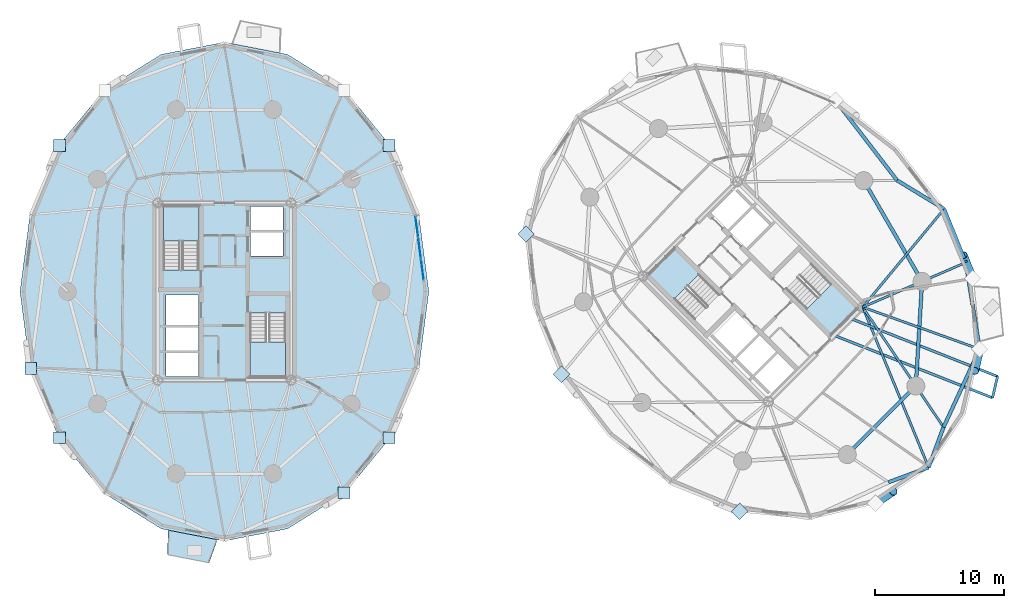
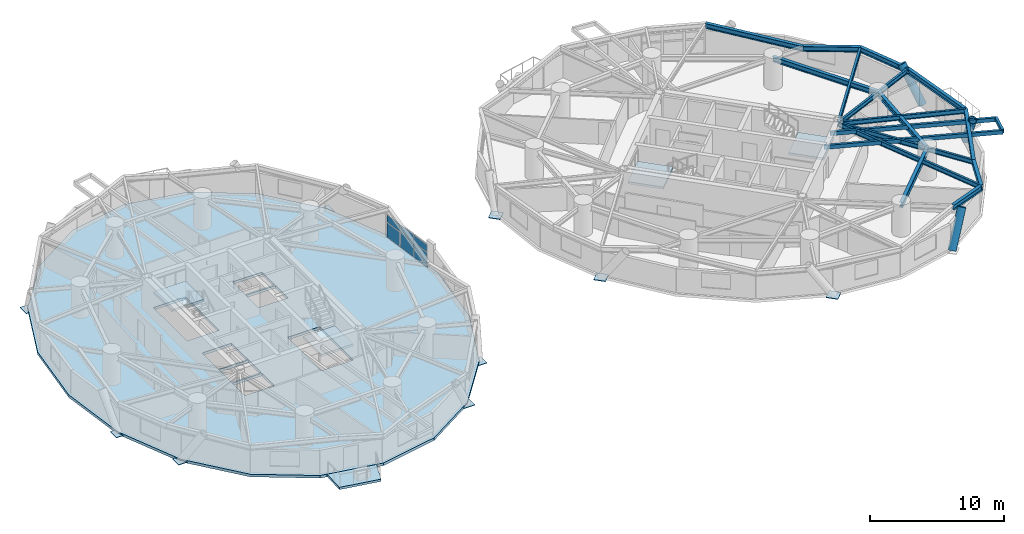
# One storey, part 8 of 18: 18 beams, 15 plates, 6 slabs, 3 members, 5 elements without a shape of their own.
"""IFC4 building model written with IfcOpenShell, lengths in metres."""

from ifc_helpers import new_model, si_unit, direction, frame, origin, origin_2d, place, context, subcontext, project, spatial, polyline, rectangle, hollow_rectangle, hollow_circle, i_section, outline, extrude, source, transform, mapped, material, layer, layer_set, material_profile, profile_set, type_object, element, aggregate, save


model = new_model("IFC4")

# Units and contexts
model_context = context("Model", 3, precision=1e-05, world=origin(), true_north=direction((0.0, 1.0)))
body_context = subcontext(model_context, "Body", "Model", "MODEL_VIEW")
ifc_project = project(units=[si_unit("LENGTHUNIT", "METRE"), si_unit("AREAUNIT", "SQUARE_METRE"), si_unit("VOLUMEUNIT", "CUBIC_METRE"), si_unit("PLANEANGLEUNIT", "RADIAN"), si_unit("MASSUNIT", "GRAM", prefix="KILO")], contexts=[model_context])

# Site, building, storey
site_placement = place(None, origin())
site = spatial("IfcSite", under=ifc_project, at=site_placement, CompositionType="ELEMENT")
building_placement = place(site_placement, origin())
building = spatial("IfcBuilding", under=site, at=building_placement, Name="Cununo Teusaquillo Station Towers", CompositionType="ELEMENT")
storey_placement = place(building_placement, frame((0.0, 0.0, 119.6201171875)))
storey = spatial("IfcBuildingStorey", under=building, at=storey_placement, Name="L38", CompositionType="ELEMENT", Elevation=119.6201171875)

# Beams
ifc_material_1 = material(Name="Steel EN 10025-2 S355J2", Category="steel")
ifc_material_profile_1 = material_profile(ifc_material_1, hollow_rectangle(XDim=0.199951171875, YDim=0.35009765625, WallThickness=0.013916015625, at=origin_2d()), Name="RHS 350x200x14")
ifc_profile_set_1 = profile_set([ifc_material_profile_1], Name="Steel EN 10025-2 S355J2")
beam_type_1 = type_object("IfcBeamType", Name="BM-BAL-CANT", PredefinedType="BEAM", material=ifc_profile_set_1)
beam_1_placement = place(storey_placement, frame((63.593505859375, 21.188720703125, 2.494873046875), z_axis=(0.930217566196, -0.367008555132, 0.0), x_axis=(0.367008555132, 0.930217566196, 0.0)))
element("IfcBeam", 1, at=beam_1_placement, inside=storey, type_object=beam_type_1, Name="L38 Tower B Balcony Cantilever Bracket 2A", PredefinedType="BEAM", context=body_context, shape_type="SweptSolid", body=[
    extrude(hollow_rectangle(XDim=0.199951171875, YDim=0.35009765625, WallThickness=0.013916015625, at=origin_2d()), origin(), (0.0, 0.0, 1.0), 13.44140625),
])
beam_2_placement = place(storey_placement, frame((64.894287109375, 22.48974609375, 2.494873046875), z_axis=(0.930220364523, -0.367001462432, 0.0), x_axis=(0.367001462432, 0.930220364523, 0.0)))
element("IfcBeam", 2, at=beam_2_placement, inside=storey, type_object=beam_type_1, Name="L38 Tower B Balcony Cantilever Bracket 2B", PredefinedType="BEAM", context=body_context, shape_type="SweptSolid", body=[
    extrude(hollow_rectangle(XDim=0.199951171875, YDim=0.35009765625, WallThickness=0.013916015625, at=origin_2d()), origin(), (0.0, 0.0, 1.0), 12.459716796875),
])
ifc_material_2 = material(Name="Steel ASTM A572 Grade 50", Category="steel")
ifc_material_profile_2 = material_profile(ifc_material_2, i_section(OverallWidth=0.180908203125, OverallDepth=0.4169921875, WebThickness=0.010986328125, FlangeThickness=0.018310546875, FilletRadius=0.012939453125, at=origin_2d()), Name="W16X57")
ifc_profile_set_2 = profile_set([ifc_material_profile_2], Name="Steel ASTM A572 Grade 50")
beam_type_2 = type_object("IfcBeamType", Name="BM-JOIST-1", PredefinedType="JOIST", material=ifc_profile_set_2)
beam_3_placement = place(storey_placement, frame((66.024169921875, 23.29443359375, 2.46142578125), z_axis=(0.380485864505, -0.924786735908, 0.0), x_axis=(0.924786735908, 0.380485864505, 0.0)))
element("IfcBeam", 3, at=beam_3_placement, inside=storey, type_object=beam_type_2, Name="L38 Tower B Radial Spandrel Joist V15", PredefinedType="JOIST", context=body_context, shape_type="SweptSolid", body=[
    extrude(i_section(OverallWidth=0.180908203125, OverallDepth=0.4169921875, WebThickness=0.010986328125, FlangeThickness=0.018310546875, FilletRadius=0.012939453125, at=origin_2d()), origin(), (0.0, 0.0, 1.0), 13.44580078125),
])
beam_4_placement = place(storey_placement, frame((66.024169921875, 23.29443359375, 2.46142578125), z_axis=(0.941082771055, -0.338176312038, 0.0), x_axis=(0.338176312038, 0.941082771055, 0.0)))
element("IfcBeam", 4, at=beam_4_placement, inside=storey, type_object=beam_type_2, Name="L38 Tower B Radial Spandrel Joist V17", PredefinedType="JOIST", context=body_context, shape_type="SweptSolid", body=[
    extrude(i_section(OverallWidth=0.180908203125, OverallDepth=0.4169921875, WebThickness=0.010986328125, FlangeThickness=0.018310546875, FilletRadius=0.012939453125, at=origin_2d()), origin(), (0.0, 0.0, 1.0), 9.646484375),
])
beam_5_placement = place(storey_placement, frame((66.024169921875, 23.29443359375, 2.46142578125), z_axis=(0.638372238196, 0.769727799615, 0.0), x_axis=(-0.769727799615, 0.638372238196, 0.0)))
element("IfcBeam", 5, at=beam_5_placement, inside=storey, type_object=beam_type_2, Name="L38 Tower B Radial Spandrel Joist V19", PredefinedType="JOIST", context=body_context, shape_type="SweptSolid", body=[
    extrude(i_section(OverallWidth=0.180908203125, OverallDepth=0.4169921875, WebThickness=0.010986328125, FlangeThickness=0.018310546875, FilletRadius=0.012939453125, at=origin_2d()), origin(), (0.0, 0.0, 1.0), 9.895263671875),
])
ifc_material_3 = material(Name="Steel ASTM A572 Grade 50", Category="steel")
ifc_material_profile_3 = material_profile(ifc_material_3, i_section(OverallWidth=0.180908203125, OverallDepth=0.4169921875, WebThickness=0.010986328125, FlangeThickness=0.018310546875, FilletRadius=0.012939453125, at=origin_2d()), Name="W16X57")
ifc_profile_set_3 = profile_set([ifc_material_profile_3], Name="Steel ASTM A572 Grade 50")
beam_type_3 = type_object("IfcBeamType", Name="BM-RAD-G2", PredefinedType="BEAM", material=ifc_profile_set_3)
beam_6_placement = place(storey_placement, frame((66.024169921875, 23.29443359375, 2.46142578125), z_axis=(0.558572297481, -0.82945583878, 0.0), x_axis=(0.82945583878, 0.558572297481, 0.0)))
element("IfcBeam", 6, at=beam_6_placement, inside=storey, type_object=beam_type_3, Name="L38 Tower B Continuous Overhanging Radial Girder 09", PredefinedType="BEAM", context=body_context, shape_type="SweptSolid", body=[
    extrude(i_section(OverallWidth=0.180908203125, OverallDepth=0.4169921875, WebThickness=0.010986328125, FlangeThickness=0.018310546875, FilletRadius=0.012939453125, at=origin_2d()), origin(), (0.0, 0.0, 1.0), 11.22998046875),
])
beam_7_placement = place(storey_placement, frame((66.024169921875, 23.29443359375, 2.46142578125), z_axis=(0.917654733344, 0.397378648609, 0.0), x_axis=(-0.397378648609, 0.917654733344, 0.0)))
element("IfcBeam", 7, at=beam_7_placement, inside=storey, type_object=beam_type_3, Name="L38 Tower B Continuous Overhanging Radial Girder 10", PredefinedType="BEAM", context=body_context, shape_type="SweptSolid", body=[
    extrude(i_section(OverallWidth=0.180908203125, OverallDepth=0.4169921875, WebThickness=0.010986328125, FlangeThickness=0.018310546875, FilletRadius=0.012939453125, at=origin_2d()), origin(), (0.0, 0.0, 1.0), 8.71484375),
])
ifc_material_4 = material(Name="Steel ASTM A572 Grade 50", Category="steel")
ifc_material_profile_4 = material_profile(ifc_material_4, i_section(OverallWidth=0.280029296875, OverallDepth=0.462890625, WebThickness=0.0107421875, FlangeThickness=0.017333984375, FilletRadius=0.013916015625, at=origin_2d()), Name="W18X76")
ifc_profile_set_4 = profile_set([ifc_material_profile_4], Name="Steel ASTM A572 Grade 50")
beam_type_4 = type_object("IfcBeamType", Name="BM-RING-Z2", PredefinedType="SPANDREL", material=ifc_profile_set_4)
beam_8_placement = place(storey_placement, frame((64.826904296875, 11.853759765625, 2.4384765625), z_axis=(0.707106781187, 0.707106781187, 0.0), x_axis=(-0.707106781187, 0.707106781187, 0.0)))
element("IfcBeam", 8, at=beam_8_placement, inside=storey, type_object=beam_type_4, Name="L38 Tower B Structural Column Ring Girder 08", PredefinedType="SPANDREL", context=body_context, shape_type="SweptSolid", body=[
    extrude(i_section(OverallWidth=0.280029296875, OverallDepth=0.462890625, WebThickness=0.0107421875, FlangeThickness=0.017333984375, FilletRadius=0.013916015625, at=origin_2d()), origin(), (0.0, 0.0, 1.0), 7.522705078125),
])
beam_9_placement = place(storey_placement, frame((70.146240234375, 17.173095703125, 2.4384765625), z_axis=(0.06012979176, 0.998190567048, 0.0), x_axis=(-0.998190567048, 0.06012979176, 0.0)))
element("IfcBeam", 9, at=beam_9_placement, inside=storey, type_object=beam_type_4, Name="L38 Tower B Structural Column Ring Girder 09", PredefinedType="SPANDREL", context=body_context, shape_type="SweptSolid", body=[
    extrude(i_section(OverallWidth=0.280029296875, OverallDepth=0.462890625, WebThickness=0.0107421875, FlangeThickness=0.017333984375, FilletRadius=0.013916015625, at=origin_2d()), origin(), (0.0, 0.0, 1.0), 8.132568359375),
])
beam_10_placement = place(storey_placement, frame((70.63525390625, 25.291015625, 2.4384765625), z_axis=(-0.501311121078, 0.865267103202, 0.0), x_axis=(-0.865267103202, -0.501311121078, 0.0)))
element("IfcBeam", 10, at=beam_10_placement, inside=storey, type_object=beam_type_4, Name="L38 Tower B Structural Column Ring Girder 10", PredefinedType="SPANDREL", context=body_context, shape_type="SweptSolid", body=[
    extrude(i_section(OverallWidth=0.280029296875, OverallDepth=0.462890625, WebThickness=0.0107421875, FlangeThickness=0.017333984375, FilletRadius=0.013916015625, at=origin_2d()), origin(), (0.0, 0.0, 1.0), 9.032958984375),
])
beam_11_placement = place(storey_placement, frame((68.694580078125, 33.12890625, 2.4384765625), z_axis=(-0.610100441726, 0.792324082056, 0.0), x_axis=(-0.792324082056, -0.610100441726, 0.0)))
element("IfcBeam", 11, at=beam_11_placement, inside=storey, type_object=beam_type_4, Name="L38 Tower B Spandrel Ring Beam 01", PredefinedType="SPANDREL", context=body_context, shape_type="SweptSolid", body=[
    extrude(i_section(OverallWidth=0.280029296875, OverallDepth=0.462890625, WebThickness=0.0107421875, FlangeThickness=0.017333984375, FilletRadius=0.013916015625, at=origin_2d()), origin(), (0.0, 0.0, 1.0), 7.84033203125),
])
for number, where, z_axis, x_axis, name in (
    (12, (68.020263671875, 9.703125, 2.4384765625), (0.937628334414, 0.347639333943, 0.0), (-0.347639333943, 0.937628334414, 0.0), "L38 Tower B Spandrel Ring Beam 15"),
    (13, (71.14013671875, 10.85986328125, 2.4384765625), (0.347639333943, 0.937628334414, 0.0), (-0.937628334414, 0.347639333943, 0.0), "L38 Tower B Spandrel Ring Beam 16"),
):
    element("IfcBeam", number, at=place(storey_placement, frame(where, z_axis=z_axis, x_axis=x_axis)), inside=storey, type_object=beam_type_4, Name=name, PredefinedType="SPANDREL", context=body_context, shape_type="SweptSolid", body=[
        extrude(i_section(OverallWidth=0.280029296875, OverallDepth=0.462890625, WebThickness=0.0107421875, FlangeThickness=0.017333984375, FilletRadius=0.013916015625, at=origin_2d()), origin(), (0.0, 0.0, 1.0), 3.327392578125),
    ])
beam_12_placement = place(storey_placement, frame((72.296875, 13.979736328125, 2.4384765625), z_axis=(0.420535961689, 0.907275870354, 0.0), x_axis=(-0.907275870354, 0.420535961689, 0.0)))
element("IfcBeam", 14, at=beam_12_placement, inside=storey, type_object=beam_type_4, Name="L38 Tower B Spandrel Ring Beam 17", PredefinedType="SPANDREL", context=body_context, shape_type="SweptSolid", body=[
    extrude(i_section(OverallWidth=0.280029296875, OverallDepth=0.462890625, WebThickness=0.0107421875, FlangeThickness=0.017333984375, FilletRadius=0.013916015625, at=origin_2d()), origin(), (0.0, 0.0, 1.0), 6.671142578125),
])
beam_13_placement = place(storey_placement, frame((75.102294921875, 20.0322265625, 2.4384765625), z_axis=(-0.158671232312, 0.987331474246, 0.0), x_axis=(-0.987331474246, -0.158671232312, 0.0)))
element("IfcBeam", 15, at=beam_13_placement, inside=storey, type_object=beam_type_4, Name="L38 Tower B Spandrel Ring Beam 18", PredefinedType="SPANDREL", context=body_context, shape_type="SweptSolid", body=[
    extrude(i_section(OverallWidth=0.280029296875, OverallDepth=0.462890625, WebThickness=0.0107421875, FlangeThickness=0.017333984375, FilletRadius=0.013916015625, at=origin_2d()), origin(), (0.0, 0.0, 1.0), 6.8115234375),
])
beam_14_placement = place(storey_placement, frame((74.021484375, 26.757568359375, 2.4384765625), z_axis=(-0.375042266631, 0.927007712072, 0.0), x_axis=(-0.927007712072, -0.375042266631, 0.0)))
element("IfcBeam", 16, at=beam_14_placement, inside=storey, type_object=beam_type_4, Name="L38 Tower B Spandrel Ring Beam 19", PredefinedType="SPANDREL", context=body_context, shape_type="SweptSolid", body=[
    extrude(i_section(OverallWidth=0.280029296875, OverallDepth=0.462890625, WebThickness=0.0107421875, FlangeThickness=0.017333984375, FilletRadius=0.013916015625, at=origin_2d()), origin(), (0.0, 0.0, 1.0), 4.480712890625),
])
beam_15_placement = place(storey_placement, frame((72.341064453125, 30.9111328125, 2.4384765625), z_axis=(-0.854388492444, 0.519634779416, 0.0), x_axis=(-0.519634779416, -0.854388492444, 0.0)))
element("IfcBeam", 17, at=beam_15_placement, inside=storey, type_object=beam_type_4, Name="L38 Tower B Spandrel Ring Beam 20", PredefinedType="SPANDREL", context=body_context, shape_type="SweptSolid", body=[
    extrude(i_section(OverallWidth=0.280029296875, OverallDepth=0.462890625, WebThickness=0.0107421875, FlangeThickness=0.017333984375, FilletRadius=0.013916015625, at=origin_2d()), origin(), (0.0, 0.0, 1.0), 4.26806640625),
])
ifc_material_5 = material(Name="Steel EN 10025-2 S355J2", Category="steel")
ifc_material_profile_5 = material_profile(ifc_material_5, hollow_rectangle(XDim=0.199951171875, YDim=0.35009765625, WallThickness=0.013916015625, at=origin_2d()), Name="RHS 350x200x14")
ifc_profile_set_5 = profile_set([ifc_material_profile_5], Name="Steel EN 10025-2 S355J2")
beam_type_5 = type_object("IfcBeamType", Name="BM-STAIR-TRIM", PredefinedType="BEAM", material=ifc_profile_set_5)
beam_16_placement = place(storey_placement, frame((76.096923828125, 16.255615234375, 2.52490234375), z_axis=(0.22725223503, 0.973835931599, 0.0), x_axis=(-0.973835931599, 0.22725223503, 0.0)))
element("IfcBeam", 18, at=beam_16_placement, inside=storey, type_object=beam_type_5, Name="L38 Tower B Balcony Edge Trimmer Beam 2", PredefinedType="BEAM", context=body_context, shape_type="SweptSolid", body=[
    extrude(hollow_rectangle(XDim=0.199951171875, YDim=0.35009765625, WallThickness=0.013916015625, at=origin_2d()), origin(), (0.0, 0.0, 1.0), 1.7060546875),
])

# Members
ifc_material_6 = material(Name="Steel EN 10025-2 S355J2", Category="steel")
ifc_material_profile_6 = material_profile(ifc_material_6, hollow_circle(Radius=0.330078125, WallThickness=0.02490234375, at=origin_2d()), Name="CHS 660x25")
ifc_profile_set_6 = profile_set([ifc_material_profile_6], Name="Steel EN 10025-2 S355J2")
member_type = type_object("IfcMemberType", Name="MBR-DIAG-Z2", PredefinedType="BRACE", material=ifc_profile_set_6)
member_1_placement = place(storey_placement, frame((67.019775390625, 8.07470703125, -0.14013671875), z_axis=(0.410124934173, 0.277231625428, 0.868872927552), x_axis=(-0.560024081213, 0.828476329452, 0.0)))
element("IfcMember", 19, at=member_1_placement, inside=storey, type_object=member_type, Name="L38 Tower B Folded-Zigzag Diagrid Tube C14", PredefinedType="BRACE", context=body_context, shape_type="SweptSolid", body=[
    extrude(hollow_circle(Radius=0.330078125, WallThickness=0.02490234375, at=origin_2d()), origin(), (0.0, 0.0, 1.0), 3.34912109375),
])
member_2_placement = place(storey_placement, frame((75.102294921875, 20.0322265625, -0.14013671875), z_axis=(-0.115910772147, -0.497471434658, 0.859701613701), x_axis=(0.973913029911, -0.226921594761, 0.0)))
element("IfcMember", 20, at=member_2_placement, inside=storey, type_object=member_type, Name="L38 Tower B Folded-Zigzag Diagrid Tube C16", PredefinedType="BRACE", context=body_context, shape_type="SweptSolid", body=[
    extrude(hollow_circle(Radius=0.330078125, WallThickness=0.02490234375, at=origin_2d()), origin(), (0.0, 0.0, 1.0), 3.384765625),
])
member_3_placement = place(storey_placement, frame((74.556640625, 25.521728515625, -0.14013671875), z_axis=(-0.211093316399, 0.51346268498, 0.83174255807), x_axis=(-0.924888817599, -0.380237656053, 0.0)))
element("IfcMember", 21, at=member_3_placement, inside=storey, type_object=member_type, Name="L38 Tower B Folded-Zigzag Diagrid Tube C18", PredefinedType="BRACE", context=body_context, shape_type="SweptSolid", body=[
    extrude(hollow_circle(Radius=0.330078125, WallThickness=0.02490234375, at=origin_2d()), origin(), (0.0, 0.0, 1.0), 3.49853515625),
])

# Slab
ifc_material_7 = material(Name="Concrete C50/60", Category="concrete")
ifc_layer_1 = layer(ifc_material_7, 0.2099609375)
ifc_layer_set_1 = layer_set([ifc_layer_1], Name="Concrete C50/60")
slab_type_1 = type_object("IfcSlabType", Name="SLB-BAL-210", PredefinedType="FLOOR", material=ifc_layer_set_1)
slab_1_placement = place(storey_placement, frame((0.0, 0.0, -0.210205078125)))
element("IfcSlab", 22, at=slab_1_placement, inside=storey, type_object=slab_type_1, Name="L38 Tower A Tree Balcony Slab 2", PredefinedType="FLOOR", context=body_context, shape_type="SweptSolid", body=[
    extrude(outline(polyline([(12.1376953125, 5.98779296875), (15.958984375, 5.24951171875), (15.30126953125, 3.426025390625), (12.069091796875, 4.05078125), (12.1376953125, 5.98779296875)])), origin(), (0.0, 0.0, 1.0), 0.210205078125),
])

# Stair, slab
ifc_material_8 = material(Name="Concrete C50/60", Category="concrete")
stair_type = type_object("IfcStairType", Name="ST-TWR-1300", PredefinedType="HALF_TURN_STAIR", material=ifc_material_8)
stair_1_placement = place(storey_placement, origin())
stair_1 = element("IfcStair", 23, at=stair_1_placement, inside=storey, type_object=stair_type, Name="L38 Tower A Protected Core Exit Stair 1", PredefinedType="HALF_TURN_STAIR")
ifc_material_9 = material(Name="Concrete C50/60", Category="concrete")
ifc_layer_2 = layer(ifc_material_9, 0.199951171875)
ifc_layer_set_2 = layer_set([ifc_layer_2], Name="Concrete C50/60")
slab_type_2 = type_object("IfcSlabType", Name="SLB-STAIR-LND", PredefinedType="LANDING", material=ifc_layer_set_2)
slab_2_placement = place(storey_placement, frame((0.0, 0.0, 1.2548828125)))
slab_2 = element("IfcSlab", 24, at=slab_2_placement, type_object=slab_type_2, Name="ST-T1-1 landing 1", PredefinedType="LANDING", context=body_context, shape_type="SweptSolid", body=[
    extrude(outline(polyline([(14.52001953125, 28.409912109375), (14.52001953125, 31.159912109375), (11.760009765625, 31.159912109375), (11.760009765625, 28.409912109375), (14.52001953125, 28.409912109375)])), origin(), (0.0, 0.0, 1.0), 0.199951171875),
])
aggregate(stair_1, [slab_2])

stair_2_placement = place(storey_placement, origin())
stair_2 = element("IfcStair", 25, at=stair_2_placement, inside=storey, type_object=stair_type, Name="L38 Tower A Protected Core Exit Stair 2", PredefinedType="HALF_TURN_STAIR")
slab_3_placement = place(storey_placement, frame((0.0, 0.0, 1.2548828125)))
slab_3 = element("IfcSlab", 26, at=slab_3_placement, type_object=slab_type_2, Name="ST-T1-2 landing 1", PredefinedType="LANDING", context=body_context, shape_type="SweptSolid", body=[
    extrude(outline(polyline([(18.47998046875, 20.590087890625), (18.47998046875, 17.840087890625), (21.239990234375, 17.840087890625), (21.239990234375, 20.590087890625), (18.47998046875, 20.590087890625)])), origin(), (0.0, 0.0, 1.0), 0.199951171875),
])
aggregate(stair_2, [slab_3])

stair_3_placement = place(storey_placement, origin())
stair_3 = element("IfcStair", 27, at=stair_3_placement, inside=storey, type_object=stair_type, Name="L38 Tower B Protected Core Exit Stair 1", PredefinedType="HALF_TURN_STAIR")
slab_4_placement = place(storey_placement, frame((0.0, 0.0, 1.2548828125)))
slab_4 = element("IfcSlab", 28, at=slab_4_placement, type_object=slab_type_2, Name="ST-T2-1 landing 1", PredefinedType="LANDING", context=body_context, shape_type="SweptSolid", body=[
    extrude(outline(polyline([(53.335205078125, 25.86474609375), (51.390625, 27.809326171875), (49.43896484375, 25.857666015625), (51.383544921875, 23.9130859375), (53.335205078125, 25.86474609375)])), origin(), (0.0, 0.0, 1.0), 0.199951171875),
])
aggregate(stair_3, [slab_4])

stair_4_placement = place(storey_placement, origin())
stair_4 = element("IfcStair", 29, at=stair_4_placement, inside=storey, type_object=stair_type, Name="L38 Tower B Protected Core Exit Stair 2", PredefinedType="HALF_TURN_STAIR")
slab_5_placement = place(storey_placement, frame((0.0, 0.0, 1.2548828125)))
slab_5 = element("IfcSlab", 30, at=slab_5_placement, type_object=slab_type_2, Name="ST-T2-2 landing 1", PredefinedType="LANDING", context=body_context, shape_type="SweptSolid", body=[
    extrude(outline(polyline([(61.664794921875, 23.13525390625), (63.609375, 21.190673828125), (65.56103515625, 23.142333984375), (63.616455078125, 25.0869140625), (61.664794921875, 23.13525390625)])), origin(), (0.0, 0.0, 1.0), 0.199951171875),
])
aggregate(stair_4, [slab_5])

# Slab
ifc_material_10 = material(Name="Concrete C40/50", Category="concrete")
ifc_layer_3 = layer(ifc_material_10, 0.239990234375)
ifc_layer_set_3 = layer_set([ifc_layer_3], Name="Concrete C40/50")
slab_type_3 = type_object("IfcSlabType", Name="SLB-Z2-240", PredefinedType="FLOOR", material=ifc_layer_set_3)
slab_6_placement = place(storey_placement, frame((0.0, 0.0, -0.240234375)))
element("IfcSlab", 31, at=slab_6_placement, inside=storey, type_object=slab_type_3, Name="L38 Tower A Floor Slab", PredefinedType="FLOOR", context=body_context, shape_type="SweptSolid", body=[
    extrude(outline(polyline([(32.361083984375, 24.5), (31.584716796875, 30.4794921875), (29.331787109375, 35.87353515625), (25.822998046875, 40.154541015625), (21.4013671875, 42.90283203125), (16.5, 43.85009765625), (11.5986328125, 42.90283203125), (7.177001953125, 40.154541015625), (3.668212890625, 35.87353515625), (1.415283203125, 30.4794921875), (0.638916015625, 24.5), (1.415283203125, 18.5205078125), (3.668212890625, 13.12646484375), (7.177001953125, 8.845458984375), (11.5986328125, 6.09716796875), (16.5, 5.14990234375), (21.4013671875, 6.09716796875), (25.822998046875, 8.845458984375), (29.331787109375, 13.12646484375), (31.584716796875, 18.5205078125), (32.361083984375, 24.5)]), holes=[polyline([(14.52001953125, 26.176025390625), (14.52001953125, 31.159912109375), (11.760009765625, 31.159912109375), (11.760009765625, 26.176025390625), (14.52001953125, 26.176025390625)]), polyline([(18.47998046875, 22.823974609375), (18.47998046875, 17.840087890625), (21.239990234375, 17.840087890625), (21.239990234375, 22.823974609375), (18.47998046875, 22.823974609375)]), polyline([(11.949951171875, 21.85009765625), (14.47998046875, 21.85009765625), (14.47998046875, 24.25), (11.949951171875, 24.25), (11.949951171875, 21.85009765625)]), polyline([(11.949951171875, 17.89990234375), (14.47998046875, 17.89990234375), (14.47998046875, 19.75), (11.949951171875, 19.75), (11.949951171875, 17.89990234375)]), polyline([(11.949951171875, 19.89990234375), (14.47998046875, 19.89990234375), (14.47998046875, 21.75), (11.949951171875, 21.75), (11.949951171875, 19.89990234375)]), polyline([(18.52001953125, 27.25), (21.050048828125, 27.25), (21.050048828125, 29.10009765625), (18.52001953125, 29.10009765625), (18.52001953125, 27.25)]), polyline([(18.52001953125, 29.25), (21.050048828125, 29.25), (21.050048828125, 31.10009765625), (18.52001953125, 31.10009765625), (18.52001953125, 29.25)])]), origin(), (0.0, 0.0, 1.0), 0.240234375),
])

# Plates
ifc_material_11 = material(Name="Steel ASTM A572 Grade 50", Category="steel")
ifc_layer_4 = layer(ifc_material_11, 0.050048828125)
ifc_layer_set_4 = layer_set([ifc_layer_4], Name="Steel ASTM A572 Grade 50")
plate_type_1 = type_object("IfcPlateType", Name="PLT-NODE-DN1", PredefinedType="USERDEFINED", material=ifc_layer_set_4)
shared_shape_1 = source(origin(), body_context, "Body", "SweptSolid", [
    extrude(rectangle(XDim=0.919921875, YDim=0.919921875, at=origin_2d()), origin(), (0.0, 0.0, 1.0), 0.050048828125),
])
for number, where, z_axis, x_axis, name in (
    (32, (29.283203125, 35.83837890625, -0.1650390625), (0.0, 0.0, 1.0), (1.0, 0.0, 0.0), "L38 Tower A Diagrid Node Assembly C01"),
    (33, (3.716796875, 35.83837890625, -0.1650390625), (0.0, 0.0, 1.0), (1.0, 0.0, 0.0), "L38 Tower A Diagrid Node Assembly C08"),
    (34, (1.472412109375, 18.5390625, -0.1650390625), (0.0, 0.0, 1.0), (1.0, 0.0, 0.0), "L38 Tower A Diagrid Node Assembly C10"),
    (35, (3.716796875, 13.16162109375, -0.1650390625), (0.0, 0.0, 1.0), (1.0, 0.0, 0.0), "L38 Tower A Diagrid Node Assembly C12"),
    (36, (25.78759765625, 8.89404296875, -0.1650390625), (0.0, 0.0, 1.0), (1.0, 0.0, 0.0), "L38 Tower A Diagrid Node Assembly C16"),
    (37, (29.283203125, 13.16162109375, -0.1650390625), (0.0, 0.0, 1.0), (1.0, 0.0, 0.0), "L38 Tower A Diagrid Node Assembly C18"),
    (38, (39.897705078125, 28.9677734375, -0.1650390625), (0.0, 0.0, 1.0), (0.707106781187, 0.707106781187, 0.0), "L38 Tower B Diagrid Node Assembly C06"),
    (39, (42.658935546875, 18.0888671875, -0.1650390625), (0.0, 0.0, 1.0), (0.707106781187, 0.707106781187, 0.0), "L38 Tower B Diagrid Node Assembly C09"),
    (40, (56.478271484375, 7.443359375, -0.1650390625), (0.0, 0.0, 1.0), (0.707106781187, 0.707106781187, 0.0), "L38 Tower B Diagrid Node Assembly C11"),
):
    element("IfcPlate", number, at=place(storey_placement, frame(where, z_axis=z_axis, x_axis=x_axis)), inside=storey, type_object=plate_type_1, Name=name, ObjectType="GUSSET PLATE", PredefinedType="USERDEFINED", context=body_context, shape_type="MappedRepresentation", body=[
        mapped(shared_shape_1, transform((0.0, 0.0, 0.0), x_axis=(1.0, 0.0, 0.0), y_axis=(0.0, 1.0, 0.0), z_axis=(0.0, 0.0, 1.0), scale=1.0)),
    ])

# Curtain wall, plates
ifc_material_12 = material(Name="Ceramic-fritted dark low-E double glazing", Category="glass")
ifc_layer_5 = layer(ifc_material_12, 0.179931640625)
ifc_layer_set_5 = layer_set([ifc_layer_5], Name="Ceramic-fritted dark low-E double glazing")
curtain_wall_type = type_object("IfcCurtainWallType", Name="CW-SYS-04", PredefinedType="USERDEFINED", material=ifc_layer_set_5)
curtain_wall_placement = place(storey_placement, origin())
curtain_wall = element("IfcCurtainWall", 41, at=curtain_wall_placement, inside=storey, type_object=curtain_wall_type, Name="L38 Tower A Facade Curtain Wall C00", ObjectType="FRITTED GLAZING", PredefinedType="USERDEFINED")
ifc_material_13 = material(Name="Ceramic-fritted dark low-E double glazing", Category="glass")
ifc_layer_6 = layer(ifc_material_13, 0.028076171875)
ifc_layer_set_6 = layer_set([ifc_layer_6], Name="Ceramic-fritted dark low-E double glazing")
plate_type_2 = type_object("IfcPlateType", Name="CWP-FRIT-28", PredefinedType="CURTAIN_PANEL", material=ifc_layer_set_6)
shared_shape_2 = source(origin(), body_context, "Body", "SweptSolid", [
    extrude(rectangle(XDim=1.59228515625, YDim=0.028076171875, at=origin_2d()), origin(), (0.0, 0.0, 1.0), 1.31103515625),
])
plate_1_placement = place(storey_placement, frame((31.429443359375, 29.533935546875, 0.06982421875), z_axis=(0.0, 0.0, 1.0), x_axis=(0.128335852387, -0.991730764367, 0.0)))
plate_1 = element("IfcPlate", 42, at=plate_1_placement, type_object=plate_type_2, Name="CW-04 panel 1.1", PredefinedType="CURTAIN_PANEL", context=body_context, shape_type="MappedRepresentation", body=[
    mapped(shared_shape_2, transform((0.0, 0.0, 0.0), x_axis=(1.0, 0.0, 0.0), y_axis=(0.0, 1.0, 0.0), z_axis=(0.0, 0.0, 1.0), scale=1.0)),
])
plate_2_placement = place(storey_placement, frame((31.86083984375, 26.201904296875, 0.06982421875), z_axis=(0.0, 0.0, 1.0), x_axis=(0.128335852387, -0.991730764367, 0.0)))
plate_2 = element("IfcPlate", 43, at=plate_2_placement, type_object=plate_type_2, Name="CW-04 panel 3.1", PredefinedType="CURTAIN_PANEL", context=body_context, shape_type="MappedRepresentation", body=[
    mapped(shared_shape_2, transform((0.0, 0.0, 0.0), x_axis=(1.0, 0.0, 0.0), y_axis=(0.0, 1.0, 0.0), z_axis=(0.0, 0.0, 1.0), scale=1.0)),
])
shared_shape_3 = source(origin(), body_context, "Body", "SweptSolid", [
    extrude(rectangle(XDim=1.59228515625, YDim=0.028076171875, at=origin_2d()), origin(), (0.0, 0.0, 1.0), 0.657958984375),
])
plate_3_placement = place(storey_placement, frame((31.429443359375, 29.533935546875, 1.45068359375), z_axis=(0.0, 0.0, 1.0), x_axis=(0.128335852387, -0.991730764367, 0.0)))
plate_3 = element("IfcPlate", 44, at=plate_3_placement, type_object=plate_type_2, Name="CW-04 panel 1.2", PredefinedType="CURTAIN_PANEL", context=body_context, shape_type="MappedRepresentation", body=[
    mapped(shared_shape_3, transform((0.0, 0.0, 0.0), x_axis=(1.0, 0.0, 0.0), y_axis=(0.0, 1.0, 0.0), z_axis=(0.0, 0.0, 1.0), scale=1.0)),
])
plate_4_placement = place(storey_placement, frame((31.86083984375, 26.201904296875, 1.45068359375), z_axis=(0.0, 0.0, 1.0), x_axis=(0.128335852387, -0.991730764367, 0.0)))
plate_4 = element("IfcPlate", 45, at=plate_4_placement, type_object=plate_type_2, Name="CW-04 panel 3.2", PredefinedType="CURTAIN_PANEL", context=body_context, shape_type="MappedRepresentation", body=[
    mapped(shared_shape_3, transform((0.0, 0.0, 0.0), x_axis=(1.0, 0.0, 0.0), y_axis=(0.0, 1.0, 0.0), z_axis=(0.0, 0.0, 1.0), scale=1.0)),
])
shared_shape_4 = source(origin(), body_context, "Body", "SweptSolid", [
    extrude(rectangle(XDim=1.62744140625, YDim=0.028076171875, at=origin_2d()), origin(), (0.0, 0.0, 1.0), 1.31103515625),
])
plate_5_placement = place(storey_placement, frame((31.645263671875, 27.867919921875, 0.06982421875), z_axis=(0.0, 0.0, 1.0), x_axis=(0.128335852387, -0.991730764367, 0.0)))
plate_5 = element("IfcPlate", 46, at=plate_5_placement, type_object=plate_type_2, Name="CW-04 panel 2.1", PredefinedType="CURTAIN_PANEL", context=body_context, shape_type="MappedRepresentation", body=[
    mapped(shared_shape_4, transform((0.0, 0.0, 0.0), x_axis=(1.0, 0.0, 0.0), y_axis=(0.0, 1.0, 0.0), z_axis=(0.0, 0.0, 1.0), scale=1.0)),
])
shared_shape_5 = source(origin(), body_context, "Body", "SweptSolid", [
    extrude(rectangle(XDim=1.62744140625, YDim=0.028076171875, at=origin_2d()), origin(), (0.0, 0.0, 1.0), 0.657958984375),
])
plate_6_placement = place(storey_placement, frame((31.645263671875, 27.867919921875, 1.45068359375), z_axis=(0.0, 0.0, 1.0), x_axis=(0.128335852387, -0.991730764367, 0.0)))
plate_6 = element("IfcPlate", 47, at=plate_6_placement, type_object=plate_type_2, Name="CW-04 panel 2.2", PredefinedType="CURTAIN_PANEL", context=body_context, shape_type="MappedRepresentation", body=[
    mapped(shared_shape_5, transform((0.0, 0.0, 0.0), x_axis=(1.0, 0.0, 0.0), y_axis=(0.0, 1.0, 0.0), z_axis=(0.0, 0.0, 1.0), scale=1.0)),
])
aggregate(curtain_wall, [plate_1, plate_3, plate_5, plate_6, plate_2, plate_4])

save(model, "model.ifc")
